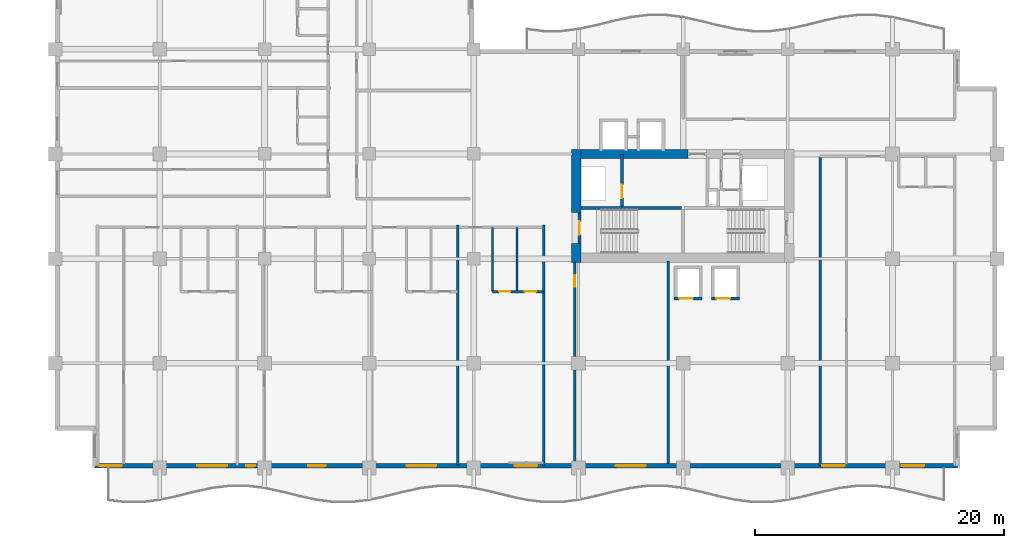
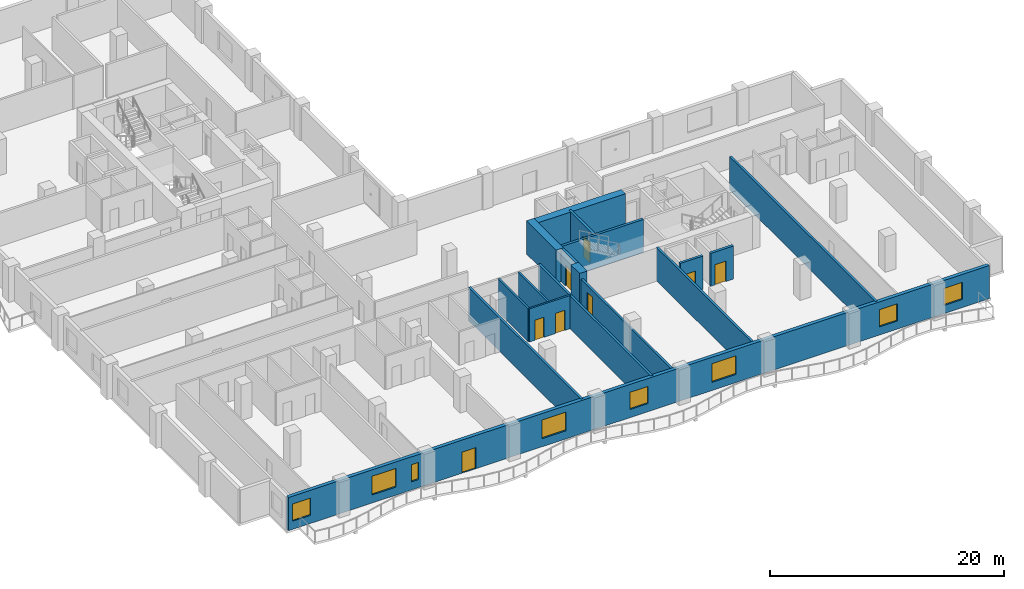
# One storey, part 5 of 16: 17 walls, 8 doors, 8 windows, 16 openings.
"""IFC4 building model written with IfcOpenShell, lengths in metres."""

from ifc_helpers import new_model, si_unit, direction, frame, frame_2d, origin, place, context, subcontext, project, spatial, rectangle, extrude, material, layer, layer_set, type_object, element, fill, save


model = new_model("IFC4")

# Units and contexts
model_context = context("Model", 3, precision=1e-05, world=origin(), true_north=direction((0.0, 1.0)))
body_context = subcontext(model_context, "Body", "Model", "MODEL_VIEW")
ifc_project = project(units=[si_unit("LENGTHUNIT", "METRE"), si_unit("AREAUNIT", "SQUARE_METRE"), si_unit("VOLUMEUNIT", "CUBIC_METRE"), si_unit("PLANEANGLEUNIT", "RADIAN"), si_unit("MASSUNIT", "GRAM", prefix="KILO")], contexts=[model_context])

# Site, building, storey
site_placement = place(None, origin())
site = spatial("IfcSite", under=ifc_project, at=site_placement, CompositionType="ELEMENT")
building_placement = place(site_placement, origin())
building = spatial("IfcBuilding", under=site, at=building_placement, Name="Koriwani Terraces Tower", CompositionType="ELEMENT")
storey_placement = place(building_placement, frame((0.0, 0.0, 179.10009765625)))
storey = spatial("IfcBuildingStorey", under=building, at=storey_placement, Name="L43", CompositionType="ELEMENT", Elevation=179.10009765625)

# Walls
ifc_material_1 = material(Name="Concrete C60/75", Category="concrete")
ifc_layer_1 = layer(ifc_material_1, 0.75, Name="Concrete C60/75")
ifc_layer_set_1 = layer_set([ifc_layer_1], Name="Concrete C60/75")
wall_type_1 = type_object("IfcWallType", Name="WALL_CORE_RC_750", PredefinedType="SHEAR", material=ifc_layer_set_1)
wall_1_placement = place(storey_placement, frame((41.824951171875, 16.5, 0.0), z_axis=(0.0, 0.0, 1.0), x_axis=(0.0, 1.0, 0.0)))
element("IfcWall", 1, at=wall_1_placement, inside=storey, type_object=wall_type_1, Name="L43 East Split Core Shear Wall W1", PredefinedType="SHEAR", context=body_context, shape_type="SweptSolid", body=[
    extrude(rectangle(XDim=1.5, YDim=0.75, at=frame_2d((0.75, 0.0))), origin(), (0.0, 0.0, 1.0), 3.469970703125),
])
wall_2_placement = place(storey_placement, frame((41.824951171875, 20.5, 0.0), z_axis=(0.0, 0.0, 1.0), x_axis=(0.0, 1.0, 0.0)))
element("IfcWall", 2, at=wall_2_placement, inside=storey, type_object=wall_type_1, Name="L43 East Split Core Shear Wall W2", PredefinedType="SHEAR", context=body_context, shape_type="SweptSolid", body=[
    extrude(rectangle(XDim=5.074951171875, YDim=0.75, at=frame_2d((2.53759765625, 0.0))), origin(), (0.0, 0.0, 1.0), 3.469970703125),
])
wall_3_placement = place(storey_placement, frame((42.199951171875, 25.199951171875, 0.0), z_axis=(0.0, 0.0, 1.0), x_axis=(1.0, 0.0, 0.0)))
element("IfcWall", 3, at=wall_3_placement, inside=storey, type_object=wall_type_1, Name="L43 East Split Core Shear Wall N1", PredefinedType="SHEAR", context=body_context, shape_type="SweptSolid", body=[
    extrude(rectangle(XDim=8.60009765625, YDim=0.75, at=frame_2d((4.300048828125, 0.0))), origin(), (0.0, 0.0, 1.0), 3.469970703125),
])

# Wall, opening, door
ifc_material_2 = material(Name="Autoclaved Cellular Concrete Blockwork", Category="masonry")
ifc_layer_2 = layer(ifc_material_2, 0.199951171875, Name="Autoclaved Cellular Concrete Blockwork")
ifc_layer_set_2 = layer_set([ifc_layer_2], Name="Autoclaved Cellular Concrete Blockwork")
wall_type_2 = type_object("IfcWallType", Name="WALL_CORRIDOR_200", PredefinedType="PARTITIONING", material=ifc_layer_set_2)
wall_4_placement = place(storey_placement, frame((41.699951171875, 0.35009765625, 0.0), z_axis=(0.0, 0.0, 1.0), x_axis=(0.0, 1.0, 0.0)))
wall_4 = element("IfcWall", 4, at=wall_4_placement, inside=storey, type_object=wall_type_2, Name="L43 Interior Wall WREC-EW-L43", PredefinedType="PARTITIONING", context=body_context, shape_type="SweptSolid", body=[
    extrude(rectangle(XDim=16.25, YDim=0.199951171875, at=frame_2d((8.125, 0.0))), origin(), (0.0, 0.0, 1.0), 2.81982421875),
])
opening_1_placement = place(wall_4_placement, frame((14.199951171875, 0.0, 0.0)))
opening_1 = element("IfcOpeningElement", 5, at=opening_1_placement, cuts=wall_4, Name="Opening D-06", PredefinedType="OPENING", context=body_context, shape_type="SweptSolid", body=[
    extrude(rectangle(XDim=0.919921875, YDim=2.10009765625, at=frame_2d((0.4599609375, 1.050048828125))), frame((0.0, 0.10986328125, 0.0), z_axis=(0.0, -1.0, 0.0), x_axis=(1.0, 0.0, 0.0)), (0.0, 0.0, 1.0), 0.219970703125),
])
ifc_material_3 = material(Name="Architectural Oak Fire Door", Category="wood")
door_type_1 = type_object("IfcDoorType", Name="DOOR_ROOM_INT_920X2100", OperationType="NOTDEFINED", PredefinedType="DOOR", material=ifc_material_3)
door_1_placement = place(opening_1_placement, origin())
door_1 = element("IfcDoor", 6, at=door_1_placement, inside=storey, type_object=door_type_1, Name="L43 Resident Co-Working Study Door", OperationType="SINGLE_SWING_RIGHT", OverallHeight=2.10009765625, OverallWidth=0.919921875, PredefinedType="DOOR", context=body_context, shape_type="SweptSolid", body=[
    extrude(rectangle(XDim=0.919921875, YDim=2.10009765625, at=frame_2d((0.4599609375, 1.050048828125))), frame((0.0, 0.02490234375, 0.0), z_axis=(0.0, -1.0, 0.0), x_axis=(1.0, 0.0, 0.0)), (0.0, 0.0, 1.0), 0.050048828125),
])
fill(opening_1, door_1)

# Walls
ifc_layer_3 = layer(ifc_material_2, 0.219970703125, Name="Autoclaved Cellular Concrete Blockwork")
ifc_layer_set_3 = layer_set([ifc_layer_3], Name="Autoclaved Cellular Concrete Blockwork")
wall_type_3 = type_object("IfcWallType", Name="WALL_DEMISING_220", PredefinedType="PARTITIONING", material=ifc_layer_set_3)
wall_5_placement = place(storey_placement, frame((49.199951171875, 0.35009765625, 0.0), z_axis=(0.0, 0.0, 1.0), x_axis=(0.0, 1.0, 0.0)))
element("IfcWall", 7, at=wall_5_placement, inside=storey, type_object=wall_type_3, Name="L43 Interior Wall WREC-EE-L43", PredefinedType="PARTITIONING", context=body_context, shape_type="SweptSolid", body=[
    extrude(rectangle(XDim=16.25, YDim=0.219970703125, at=frame_2d((8.125, 0.0))), origin(), (0.0, 0.0, 1.0), 3.469970703125),
])
for number, where, z_axis, x_axis, name in (
    (8, (32.300048828125, 0.199951171875, 0.0), (0.0, 0.0, 1.0), (0.0, 1.0, 0.0), "L43 Interior Wall WRDEM-L43-SW-3"),
    (9, (39.199951171875, 0.199951171875, 0.0), (0.0, 0.0, 1.0), (0.0, 1.0, 0.0), "L43 Interior Wall WRDEME-L43-SW"),
):
    element("IfcWall", number, at=place(storey_placement, frame(where, z_axis=z_axis, x_axis=x_axis)), inside=storey, type_object=wall_type_3, Name=name, PredefinedType="PARTITIONING", context=body_context, shape_type="SweptSolid", body=[
        extrude(rectangle(XDim=19.280029296875, YDim=0.219970703125, at=frame_2d((9.64013671875, 0.0))), origin(), (0.0, 0.0, 1.0), 3.469970703125),
    ])
wall_6_placement = place(storey_placement, frame((61.39990234375, 0.199951171875, 0.0), z_axis=(0.0, 0.0, 1.0), x_axis=(0.0, 1.0, 0.0)))
element("IfcWall", 10, at=wall_6_placement, inside=storey, type_object=wall_type_3, Name="L43 Interior Wall WRDEM-L43-SE-0", PredefinedType="PARTITIONING", context=body_context, shape_type="SweptSolid", body=[
    extrude(rectangle(XDim=24.97998046875, YDim=0.219970703125, at=frame_2d((12.489990234375, 0.0))), origin(), (0.0, 0.0, 1.0), 3.469970703125),
])

# Wall, openings, door, windows
ifc_material_4 = material(Name="Concrete C50/60", Category="concrete")
ifc_layer_4 = layer(ifc_material_4, 0.35009765625, Name="Concrete C50/60")
ifc_layer_set_4 = layer_set([ifc_layer_4], Name="Concrete C50/60")
wall_type_4 = type_object("IfcWallType", Name="WALL_EXT_BRUTALIST_350", PredefinedType="STANDARD", material=ifc_layer_set_4)
wall_7_placement = place(storey_placement, frame((72.425048828125, 0.175048828125, 0.0), z_axis=(0.0, 0.0, 1.0), x_axis=(-1.0, 0.0, 0.0)))
wall_7 = element("IfcWall", 11, at=wall_7_placement, inside=storey, type_object=wall_type_4, Name="L43 Fair-Faced Brutalist Exterior Wall (S)", PredefinedType="STANDARD", context=body_context, shape_type="SweptSolid", body=[
    extrude(rectangle(XDim=69.25, YDim=0.35009765625, at=frame_2d((34.625, 0.0))), origin(), (0.0, 0.0, 1.0), 3.469970703125),
])
opening_2_placement = place(wall_7_placement, frame((50.72509765625, 0.0, 0.0)))
opening_2 = element("IfcOpeningElement", 12, at=opening_2_placement, cuts=wall_7, Name="Opening D-09", PredefinedType="OPENING", context=body_context, shape_type="SweptSolid", body=[
    extrude(rectangle(XDim=1.39990234375, YDim=2.199951171875, at=frame_2d((0.699951171875, 1.10009765625))), frame((0.0, 0.18505859375, 0.0), z_axis=(0.0, -1.0, 0.0), x_axis=(1.0, 0.0, 0.0)), (0.0, 0.0, 1.0), 0.3701171875),
])
opening_3_placement = place(wall_7_placement, frame((58.625, 0.0, 0.85009765625)))
opening_3 = element("IfcOpeningElement", 13, at=opening_3_placement, cuts=wall_7, Name="Opening W-03", PredefinedType="OPENING", context=body_context, shape_type="SweptSolid", body=[
    extrude(rectangle(XDim=2.39990234375, YDim=1.949951171875, at=frame_2d((1.199951171875, 0.97509765625))), frame((0.0, 0.18505859375, 0.0), z_axis=(0.0, -1.0, 0.0), x_axis=(1.0, 0.0, 0.0)), (0.0, 0.0, 1.0), 0.3701171875),
])
opening_4_placement = place(wall_7_placement, frame((41.824951171875, 0.0, 0.85009765625)))
opening_4 = element("IfcOpeningElement", 14, at=opening_4_placement, cuts=wall_7, Name="Opening W-03", PredefinedType="OPENING", context=body_context, shape_type="SweptSolid", body=[
    extrude(rectangle(XDim=2.39990234375, YDim=1.949951171875, at=frame_2d((1.199951171875, 0.97509765625))), frame((0.0, 0.18505859375, 0.0), z_axis=(0.0, -1.0, 0.0), x_axis=(1.0, 0.0, 0.0)), (0.0, 0.0, 1.0), 0.3701171875),
])
opening_5_placement = place(wall_7_placement, frame((33.72509765625, 0.0, 0.85009765625)))
opening_5 = element("IfcOpeningElement", 15, at=opening_5_placement, cuts=wall_7, Name="Opening W-04", PredefinedType="OPENING", context=body_context, shape_type="SweptSolid", body=[
    extrude(rectangle(XDim=1.800048828125, YDim=1.800048828125, at=frame_2d((0.89990234375, 0.89990234375))), frame((0.0, 0.18505859375, 0.0), z_axis=(0.0, -1.0, 0.0), x_axis=(1.0, 0.0, 0.0)), (0.0, 0.0, 1.0), 0.3701171875),
])
opening_6_placement = place(wall_7_placement, frame((25.02490234375, 0.0, 0.85009765625)))
opening_6 = element("IfcOpeningElement", 16, at=opening_6_placement, cuts=wall_7, Name="Opening W-03", PredefinedType="OPENING", context=body_context, shape_type="SweptSolid", body=[
    extrude(rectangle(XDim=2.39990234375, YDim=1.949951171875, at=frame_2d((1.199951171875, 0.97509765625))), frame((0.0, 0.18505859375, 0.0), z_axis=(0.0, -1.0, 0.0), x_axis=(1.0, 0.0, 0.0)), (0.0, 0.0, 1.0), 0.3701171875),
])
opening_7_placement = place(wall_7_placement, frame((67.074951171875, 0.0, 0.85009765625)))
opening_7 = element("IfcOpeningElement", 17, at=opening_7_placement, cuts=wall_7, Name="Opening W-04", PredefinedType="OPENING", context=body_context, shape_type="SweptSolid", body=[
    extrude(rectangle(XDim=1.800048828125, YDim=1.800048828125, at=frame_2d((0.89990234375, 0.89990234375))), frame((0.0, 0.18505859375, 0.0), z_axis=(0.0, -1.0, 0.0), x_axis=(1.0, 0.0, 0.0)), (0.0, 0.0, 1.0), 0.3701171875),
])
opening_8_placement = place(wall_7_placement, frame((56.389892578125, 0.0, 0.85009765625)))
opening_8 = element("IfcOpeningElement", 18, at=opening_8_placement, cuts=wall_7, Name="Opening W-08", PredefinedType="OPENING", context=body_context, shape_type="SweptSolid", body=[
    extrude(rectangle(XDim=0.719970703125, YDim=1.800048828125, at=frame_2d((0.35986328125, 0.89990234375))), frame((0.0, 0.18505859375, 0.0), z_axis=(0.0, -1.0, 0.0), x_axis=(1.0, 0.0, 0.0)), (0.0, 0.0, 1.0), 0.3701171875),
])
opening_9_placement = place(wall_7_placement, frame((9.074951171875, 0.0, 0.85009765625)))
opening_9 = element("IfcOpeningElement", 19, at=opening_9_placement, cuts=wall_7, Name="Opening W-04", PredefinedType="OPENING", context=body_context, shape_type="SweptSolid", body=[
    extrude(rectangle(XDim=1.800048828125, YDim=1.800048828125, at=frame_2d((0.89990234375, 0.89990234375))), frame((0.0, 0.18505859375, 0.0), z_axis=(0.0, -1.0, 0.0), x_axis=(1.0, 0.0, 0.0)), (0.0, 0.0, 1.0), 0.3701171875),
])
opening_10_placement = place(wall_7_placement, frame((2.675048828125, 0.0, 0.85009765625)))
opening_10 = element("IfcOpeningElement", 20, at=opening_10_placement, cuts=wall_7, Name="Opening W-04", PredefinedType="OPENING", context=body_context, shape_type="SweptSolid", body=[
    extrude(rectangle(XDim=1.800048828125, YDim=1.800048828125, at=frame_2d((0.89990234375, 0.89990234375))), frame((0.0, 0.18505859375, 0.0), z_axis=(0.0, -1.0, 0.0), x_axis=(1.0, 0.0, 0.0)), (0.0, 0.0, 1.0), 0.3701171875),
])
ifc_material_5 = material(Name="Anodised Bronze Aluminium", Category="aluminium")
door_type_2 = type_object("IfcDoorType", Name="DOOR_BALCONY_GLAZED_1400X2200", OperationType="NOTDEFINED", PredefinedType="DOOR", material=ifc_material_5)
door_2_placement = place(opening_2_placement, origin())
door_2 = element("IfcDoor", 21, at=door_2_placement, inside=storey, type_object=door_type_2, Name="L43 South Balcony Glazed Door", OperationType="SINGLE_SWING_LEFT", OverallHeight=2.199951171875, OverallWidth=1.39990234375, PredefinedType="DOOR", context=body_context, shape_type="SweptSolid", body=[
    extrude(rectangle(XDim=1.39990234375, YDim=2.199951171875, at=frame_2d((0.699951171875, 1.10009765625))), frame((0.0, 0.02490234375, 0.0), z_axis=(0.0, -1.0, 0.0), x_axis=(1.0, 0.0, 0.0)), (0.0, 0.0, 1.0), 0.050048828125),
])
fill(opening_2, door_2)
ifc_material_6 = material(Name="Tempered Laminated Low-E Glass", Category="glass")
window_type_1 = type_object("IfcWindowType", Name="WIN_RES_BED_1800X1800", PartitioningType="DOUBLE_PANEL_VERTICAL", PredefinedType="WINDOW", material=ifc_material_6)
window_1_placement = place(opening_5_placement, origin())
window_1 = element("IfcWindow", 22, at=window_1_placement, inside=storey, type_object=window_type_1, Name="L43 Exterior Window (S-12)", OverallHeight=1.800048828125, OverallWidth=1.800048828125, PartitioningType="SINGLE_PANEL", PredefinedType="WINDOW", context=body_context, shape_type="SweptSolid", body=[
    extrude(rectangle(XDim=1.800048828125, YDim=1.800048828125, at=frame_2d((0.89990234375, 0.89990234375))), frame((0.0, 0.030029296875, 0.0), z_axis=(0.0, -1.0, 0.0), x_axis=(1.0, 0.0, 0.0)), (0.0, 0.0, 1.0), 0.06005859375),
])
fill(opening_5, window_1)
window_2_placement = place(opening_7_placement, origin())
window_2 = element("IfcWindow", 23, at=window_2_placement, inside=storey, type_object=window_type_1, Name="L43 Exterior Window (S-R35)", OverallHeight=1.800048828125, OverallWidth=1.800048828125, PartitioningType="SINGLE_PANEL", PredefinedType="WINDOW", context=body_context, shape_type="SweptSolid", body=[
    extrude(rectangle(XDim=1.800048828125, YDim=1.800048828125, at=frame_2d((0.89990234375, 0.89990234375))), frame((0.0, 0.030029296875, 0.0), z_axis=(0.0, -1.0, 0.0), x_axis=(1.0, 0.0, 0.0)), (0.0, 0.0, 1.0), 0.06005859375),
])
fill(opening_7, window_2)
window_3_placement = place(opening_9_placement, origin())
window_3 = element("IfcWindow", 24, at=window_3_placement, inside=storey, type_object=window_type_1, Name="L43 Exterior Window (S-R62)", OverallHeight=1.800048828125, OverallWidth=1.800048828125, PartitioningType="SINGLE_PANEL", PredefinedType="WINDOW", context=body_context, shape_type="SweptSolid", body=[
    extrude(rectangle(XDim=1.800048828125, YDim=1.800048828125, at=frame_2d((0.89990234375, 0.89990234375))), frame((0.0, 0.030029296875, 0.0), z_axis=(0.0, -1.0, 0.0), x_axis=(1.0, 0.0, 0.0)), (0.0, 0.0, 1.0), 0.06005859375),
])
fill(opening_9, window_3)
window_4_placement = place(opening_10_placement, origin())
window_4 = element("IfcWindow", 25, at=window_4_placement, inside=storey, type_object=window_type_1, Name="L43 Exterior Window (S-R63)", OverallHeight=1.800048828125, OverallWidth=1.800048828125, PartitioningType="SINGLE_PANEL", PredefinedType="WINDOW", context=body_context, shape_type="SweptSolid", body=[
    extrude(rectangle(XDim=1.800048828125, YDim=1.800048828125, at=frame_2d((0.89990234375, 0.89990234375))), frame((0.0, 0.030029296875, 0.0), z_axis=(0.0, -1.0, 0.0), x_axis=(1.0, 0.0, 0.0)), (0.0, 0.0, 1.0), 0.06005859375),
])
fill(opening_10, window_4)
window_type_2 = type_object("IfcWindowType", Name="WIN_RES_CASEMENT_1200X1800", PartitioningType="SINGLE_PANEL", PredefinedType="WINDOW", material=ifc_material_6)
window_5_placement = place(opening_8_placement, origin())
window_5 = element("IfcWindow", 26, at=window_5_placement, inside=storey, type_object=window_type_2, Name="L43 Exterior Window (S-R39)", OverallHeight=1.800048828125, OverallWidth=0.719970703125, PartitioningType="SINGLE_PANEL", PredefinedType="WINDOW", context=body_context, shape_type="SweptSolid", body=[
    extrude(rectangle(XDim=0.719970703125, YDim=1.800048828125, at=frame_2d((0.35986328125, 0.89990234375))), frame((0.0, 0.030029296875, 0.0), z_axis=(0.0, -1.0, 0.0), x_axis=(1.0, 0.0, 0.0)), (0.0, 0.0, 1.0), 0.06005859375),
])
fill(opening_8, window_5)
window_type_3 = type_object("IfcWindowType", Name="WIN_RES_LIVING_2400X1950", PartitioningType="DOUBLE_PANEL_VERTICAL", PredefinedType="WINDOW", material=ifc_material_6)
window_6_placement = place(opening_3_placement, origin())
window_6 = element("IfcWindow", 27, at=window_6_placement, inside=storey, type_object=window_type_3, Name="L43 Exterior Window (S-3)", OverallHeight=1.949951171875, OverallWidth=2.39990234375, PartitioningType="SINGLE_PANEL", PredefinedType="WINDOW", context=body_context, shape_type="SweptSolid", body=[
    extrude(rectangle(XDim=2.39990234375, YDim=1.949951171875, at=frame_2d((1.199951171875, 0.97509765625))), frame((0.0, 0.030029296875, 0.0), z_axis=(0.0, -1.0, 0.0), x_axis=(1.0, 0.0, 0.0)), (0.0, 0.0, 1.0), 0.06005859375),
])
fill(opening_3, window_6)
window_7_placement = place(opening_4_placement, origin())
window_7 = element("IfcWindow", 28, at=window_7_placement, inside=storey, type_object=window_type_3, Name="L43 Exterior Window (S-9)", OverallHeight=1.949951171875, OverallWidth=2.39990234375, PartitioningType="SINGLE_PANEL", PredefinedType="WINDOW", context=body_context, shape_type="SweptSolid", body=[
    extrude(rectangle(XDim=2.39990234375, YDim=1.949951171875, at=frame_2d((1.199951171875, 0.97509765625))), frame((0.0, 0.030029296875, 0.0), z_axis=(0.0, -1.0, 0.0), x_axis=(1.0, 0.0, 0.0)), (0.0, 0.0, 1.0), 0.06005859375),
])
fill(opening_4, window_7)
window_8_placement = place(opening_6_placement, origin())
window_8 = element("IfcWindow", 29, at=window_8_placement, inside=storey, type_object=window_type_3, Name="L43 Exterior Window (S-15)", OverallHeight=1.949951171875, OverallWidth=2.39990234375, PartitioningType="SINGLE_PANEL", PredefinedType="WINDOW", context=body_context, shape_type="SweptSolid", body=[
    extrude(rectangle(XDim=2.39990234375, YDim=1.949951171875, at=frame_2d((1.199951171875, 0.97509765625))), frame((0.0, 0.030029296875, 0.0), z_axis=(0.0, -1.0, 0.0), x_axis=(1.0, 0.0, 0.0)), (0.0, 0.0, 1.0), 0.06005859375),
])
fill(opening_6, window_8)

# Wall, openings, doors
ifc_material_7 = material(Name="Fire-Rated Acoustic Gypsum Partition", Category="masonry")
ifc_layer_5 = layer(ifc_material_7, 0.179931640625, Name="Fire-Rated Acoustic Gypsum Partition")
ifc_layer_set_5 = layer_set([ifc_layer_5], Name="Fire-Rated Acoustic Gypsum Partition")
wall_type_5 = type_object("IfcWallType", Name="WALL_PLUMBING_180", PredefinedType="PLUMBINGWALL", material=ifc_layer_set_5)
wall_8_placement = place(storey_placement, frame((35.10009765625, 14.14990234375, 0.0), z_axis=(0.0, 0.0, 1.0), x_axis=(1.0, 0.0, 0.0)))
wall_8 = element("IfcWall", 30, at=wall_8_placement, inside=storey, type_object=wall_type_5, Name="L43 Interior Wall WRSVC-L43-SW-3", PredefinedType="PLUMBINGWALL", context=body_context, shape_type="SweptSolid", body=[
    extrude(rectangle(XDim=4.099853515625, YDim=0.179931640625, at=frame_2d((2.0498046875, 0.0))), origin(), (0.0, 0.0, 1.0), 3.469970703125),
])
opening_11_placement = place(wall_8_placement, frame((0.533935546875, 0.0, 0.0)))
opening_11 = element("IfcOpeningElement", 31, at=opening_11_placement, cuts=wall_8, Name="Opening D-07", PredefinedType="OPENING", context=body_context, shape_type="SweptSolid", body=[
    extrude(rectangle(XDim=0.89990234375, YDim=2.10009765625, at=frame_2d((0.449951171875, 1.050048828125))), frame((0.0, 0.10009765625, 0.0), z_axis=(0.0, -1.0, 0.0), x_axis=(1.0, 0.0, 0.0)), (0.0, 0.0, 1.0), 0.199951171875),
])
opening_12_placement = place(wall_8_placement, frame((2.573974609375, 0.0, 0.0)))
opening_12 = element("IfcOpeningElement", 32, at=opening_12_placement, cuts=wall_8, Name="Opening D-06", PredefinedType="OPENING", context=body_context, shape_type="SweptSolid", body=[
    extrude(rectangle(XDim=0.919921875, YDim=2.10009765625, at=frame_2d((0.4599609375, 1.050048828125))), frame((0.0, 0.10009765625, 0.0), z_axis=(0.0, -1.0, 0.0), x_axis=(1.0, 0.0, 0.0)), (0.0, 0.0, 1.0), 0.199951171875),
])
door_type_3 = type_object("IfcDoorType", Name="DOOR_BATH_INT_900X2100", OperationType="NOTDEFINED", PredefinedType="DOOR", material=ifc_material_3)
door_3_placement = place(opening_11_placement, origin())
door_3 = element("IfcDoor", 33, at=door_3_placement, inside=storey, type_object=door_type_3, Name="Apartment 43SW4 Bathroom Door", OperationType="SINGLE_SWING_LEFT", OverallHeight=2.10009765625, OverallWidth=0.89990234375, PredefinedType="DOOR", context=body_context, shape_type="SweptSolid", body=[
    extrude(rectangle(XDim=0.89990234375, YDim=2.10009765625, at=frame_2d((0.449951171875, 1.050048828125))), frame((0.0, 0.02490234375, 0.0), z_axis=(0.0, -1.0, 0.0), x_axis=(1.0, 0.0, 0.0)), (0.0, 0.0, 1.0), 0.050048828125),
])
fill(opening_11, door_3)
door_4_placement = place(opening_12_placement, origin())
door_4 = element("IfcDoor", 34, at=door_4_placement, inside=storey, type_object=door_type_1, Name="Apartment 43SW4 Kitchen Door", OperationType="SINGLE_SWING_RIGHT", OverallHeight=2.10009765625, OverallWidth=0.919921875, PredefinedType="DOOR", context=body_context, shape_type="SweptSolid", body=[
    extrude(rectangle(XDim=0.919921875, YDim=2.10009765625, at=frame_2d((0.4599609375, 1.050048828125))), frame((0.0, 0.02490234375, 0.0), z_axis=(0.0, -1.0, 0.0), x_axis=(1.0, 0.0, 0.0)), (0.0, 0.0, 1.0), 0.050048828125),
])
fill(opening_12, door_4)

# Walls
for number, where, z_axis, x_axis, name in (
    (35, (35.10009765625, 14.14990234375, 0.0), (0.0, 0.0, 1.0), (0.0, 1.0, 0.0), "L43 Interior Wall WRSVCS-L43-SW-3"),
    (36, (37.068115234375, 14.14990234375, 0.0), (0.0, 0.0, 1.0), (0.0, 1.0, 0.0), "L43 Interior Wall WRSVCM-L43-SW-3"),
):
    element("IfcWall", number, at=place(storey_placement, frame(where, z_axis=z_axis, x_axis=x_axis)), inside=storey, type_object=wall_type_5, Name=name, PredefinedType="PLUMBINGWALL", context=body_context, shape_type="SweptSolid", body=[
        extrude(rectangle(XDim=5.150146484375, YDim=0.179931640625, at=frame_2d((2.5751953125, 0.0))), origin(), (0.0, 0.0, 1.0), 3.469970703125),
    ])
ifc_material_8 = material(Name="Concrete C40/50", Category="concrete")
ifc_layer_6 = layer(ifc_material_8, 0.25, Name="Concrete C40/50")
ifc_layer_set_6 = layer_set([ifc_layer_6], Name="Concrete C40/50")
wall_type_6 = type_object("IfcWallType", Name="WALL_SHAFT_RATED_250", PredefinedType="SOLIDWALL", material=ifc_layer_set_6)
wall_9_placement = place(storey_placement, frame((42.199951171875, 20.875, 0.0), z_axis=(0.0, 0.0, 1.0), x_axis=(1.0, 0.0, 0.0)))
element("IfcWall", 37, at=wall_9_placement, inside=storey, type_object=wall_type_6, Name="L43 East Split Core Web Wall MID1", PredefinedType="SOLIDWALL", context=body_context, shape_type="SweptSolid", body=[
    extrude(rectangle(XDim=8.050048828125, YDim=0.25, at=frame_2d((4.02490234375, 0.0))), origin(), (0.0, 0.0, 1.0), 3.469970703125),
])

# Wall, opening, door
wall_10_placement = place(storey_placement, frame((42.074951171875, 18.0, 0.0), z_axis=(0.0, 0.0, 1.0), x_axis=(0.0, 1.0, 0.0)))
wall_10 = element("IfcWall", 38, at=wall_10_placement, inside=storey, type_object=wall_type_6, Name="L43 Interior Wall WIN-CE-L43-STW", PredefinedType="SOLIDWALL", context=body_context, shape_type="SweptSolid", body=[
    extrude(rectangle(XDim=2.5, YDim=0.25, at=frame_2d((1.25, 0.0))), origin(), (0.0, 0.0, 1.0), 3.469970703125),
])
opening_13_placement = place(wall_10_placement, frame((0.699951171875, 0.0, 0.0)))
opening_13 = element("IfcOpeningElement", 39, at=opening_13_placement, cuts=wall_10, Name="Opening D-03", PredefinedType="OPENING", context=body_context, shape_type="SweptSolid", body=[
    extrude(rectangle(XDim=1.10009765625, YDim=2.14990234375, at=frame_2d((0.550048828125, 1.074951171875))), frame((0.0, 0.135009765625, 0.0), z_axis=(0.0, -1.0, 0.0), x_axis=(1.0, 0.0, 0.0)), (0.0, 0.0, 1.0), 0.27001953125),
])
ifc_material_9 = material(Name="Steel ASTM A572 Grade 50", Category="steel")
door_type_4 = type_object("IfcDoorType", Name="DOOR_STAIR_FIRE_1100X2150", OperationType="NOTDEFINED", PredefinedType="DOOR", material=ifc_material_9)
door_5_placement = place(opening_13_placement, origin())
door_5 = element("IfcDoor", 40, at=door_5_placement, inside=storey, type_object=door_type_4, Name="L43 Exit Stair ST-E1 Door", OperationType="SINGLE_SWING_LEFT", OverallHeight=2.14990234375, OverallWidth=1.10009765625, PredefinedType="DOOR", context=body_context, shape_type="SweptSolid", body=[
    extrude(rectangle(XDim=1.10009765625, YDim=2.14990234375, at=frame_2d((0.550048828125, 1.074951171875))), frame((0.0, 0.02490234375, 0.0), z_axis=(0.0, -1.0, 0.0), x_axis=(1.0, 0.0, 0.0)), (0.0, 0.0, 1.0), 0.050048828125),
])
fill(opening_13, door_5)

wall_11_placement = place(storey_placement, frame((45.5, 21.0, 0.0), z_axis=(0.0, 0.0, 1.0), x_axis=(0.0, 1.0, 0.0)))
wall_11 = element("IfcWall", 41, at=wall_11_placement, inside=storey, type_object=wall_type_6, Name="L43 Interior Wall WIN-CE-L43-FE", PredefinedType="SOLIDWALL", context=body_context, shape_type="SweptSolid", body=[
    extrude(rectangle(XDim=4.14990234375, YDim=0.25, at=frame_2d((2.074951171875, 0.0))), origin(), (0.0, 0.0, 1.0), 3.469970703125),
])
opening_14_placement = place(wall_11_placement, frame((0.64990234375, 0.0, 0.0)))
opening_14 = element("IfcOpeningElement", 42, at=opening_14_placement, cuts=wall_11, Name="Opening LD-01", PredefinedType="OPENING", context=body_context, shape_type="SweptSolid", body=[
    extrude(rectangle(XDim=1.10009765625, YDim=2.14990234375, at=frame_2d((0.550048828125, 1.074951171875))), frame((0.0, 0.135009765625, 0.0), z_axis=(0.0, -1.0, 0.0), x_axis=(1.0, 0.0, 0.0)), (0.0, 0.0, 1.0), 0.27001953125),
])
door_type_5 = type_object("IfcDoorType", Name="DOOR_LIFT_LANDING_1100X2200", OperationType="NOTDEFINED", PredefinedType="DOOR", material=ifc_material_9)
door_6_placement = place(opening_14_placement, origin())
door_6 = element("IfcDoor", 43, at=door_6_placement, inside=storey, type_object=door_type_5, Name="L43 Firefighting Lift FE-02 Landing Door", OperationType="SLIDING_TO_LEFT", OverallHeight=2.14990234375, OverallWidth=1.10009765625, PredefinedType="DOOR", context=body_context, shape_type="SweptSolid", body=[
    extrude(rectangle(XDim=1.10009765625, YDim=2.14990234375, at=frame_2d((0.550048828125, 1.074951171875))), frame((0.0, 0.02490234375, 0.0), z_axis=(0.0, -1.0, 0.0), x_axis=(1.0, 0.0, 0.0)), (0.0, 0.0, 1.0), 0.050048828125),
])
fill(opening_14, door_6)

wall_12_placement = place(storey_placement, frame((49.675048828125, 13.60009765625, 0.0), z_axis=(0.0, 0.0, 1.0), x_axis=(1.0, 0.0, 0.0)))
wall_12 = element("IfcWall", 44, at=wall_12_placement, inside=storey, type_object=wall_type_6, Name="L43 Interior Wall WIN-LF-PE-M3-L43-F", PredefinedType="SOLIDWALL", context=body_context, shape_type="SweptSolid", body=[
    extrude(rectangle(XDim=2.25, YDim=0.25, at=frame_2d((1.125, 0.0))), origin(), (0.0, 0.0, 1.0), 3.469970703125),
])
opening_15_placement = place(wall_12_placement, frame((0.39990234375, 0.0, 0.0)))
opening_15 = element("IfcOpeningElement", 45, at=opening_15_placement, cuts=wall_12, Name="Opening LD-01", PredefinedType="OPENING", context=body_context, shape_type="SweptSolid", body=[
    extrude(rectangle(XDim=1.10009765625, YDim=2.14990234375, at=frame_2d((0.550048828125, 1.074951171875))), frame((0.0, 0.135009765625, 0.0), z_axis=(0.0, -1.0, 0.0), x_axis=(1.0, 0.0, 0.0)), (0.0, 0.0, 1.0), 0.27001953125),
])
door_7_placement = place(opening_15_placement, origin())
door_7 = element("IfcDoor", 46, at=door_7_placement, inside=storey, type_object=door_type_5, Name="L43 Passenger Lift PE-M3 Landing Door", OperationType="SLIDING_TO_LEFT", OverallHeight=2.14990234375, OverallWidth=1.10009765625, PredefinedType="DOOR", context=body_context, shape_type="SweptSolid", body=[
    extrude(rectangle(XDim=1.10009765625, YDim=2.14990234375, at=frame_2d((0.550048828125, 1.074951171875))), frame((0.0, 0.02490234375, 0.0), z_axis=(0.0, -1.0, 0.0), x_axis=(1.0, 0.0, 0.0)), (0.0, 0.0, 1.0), 0.050048828125),
])
fill(opening_15, door_7)

wall_13_placement = place(storey_placement, frame((52.675048828125, 13.60009765625, 0.0), z_axis=(0.0, 0.0, 1.0), x_axis=(1.0, 0.0, 0.0)))
wall_13 = element("IfcWall", 47, at=wall_13_placement, inside=storey, type_object=wall_type_6, Name="L43 Interior Wall WIN-LF-PE-M4-L43-F", PredefinedType="SOLIDWALL", context=body_context, shape_type="SweptSolid", body=[
    extrude(rectangle(XDim=2.25, YDim=0.25, at=frame_2d((1.125, 0.0))), origin(), (0.0, 0.0, 1.0), 3.469970703125),
])
opening_16_placement = place(wall_13_placement, frame((0.39990234375, 0.0, 0.0)))
opening_16 = element("IfcOpeningElement", 48, at=opening_16_placement, cuts=wall_13, Name="Opening LD-01", PredefinedType="OPENING", context=body_context, shape_type="SweptSolid", body=[
    extrude(rectangle(XDim=1.10009765625, YDim=2.14990234375, at=frame_2d((0.550048828125, 1.074951171875))), frame((0.0, 0.135009765625, 0.0), z_axis=(0.0, -1.0, 0.0), x_axis=(1.0, 0.0, 0.0)), (0.0, 0.0, 1.0), 0.27001953125),
])
door_8_placement = place(opening_16_placement, origin())
door_8 = element("IfcDoor", 49, at=door_8_placement, inside=storey, type_object=door_type_5, Name="L43 Passenger Lift PE-M4 Landing Door", OperationType="SLIDING_TO_LEFT", OverallHeight=2.14990234375, OverallWidth=1.10009765625, PredefinedType="DOOR", context=body_context, shape_type="SweptSolid", body=[
    extrude(rectangle(XDim=1.10009765625, YDim=2.14990234375, at=frame_2d((0.550048828125, 1.074951171875))), frame((0.0, 0.02490234375, 0.0), z_axis=(0.0, -1.0, 0.0), x_axis=(1.0, 0.0, 0.0)), (0.0, 0.0, 1.0), 0.050048828125),
])
fill(opening_16, door_8)

save(model, "model.ifc")
